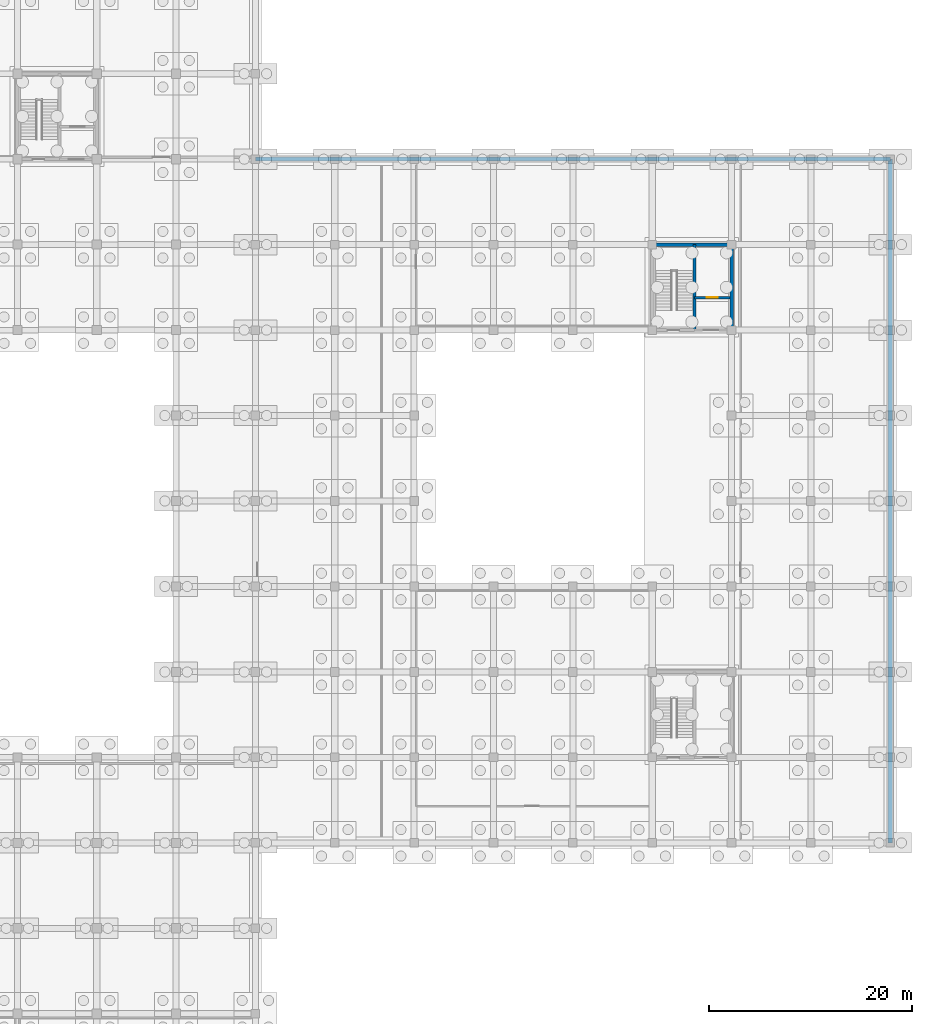
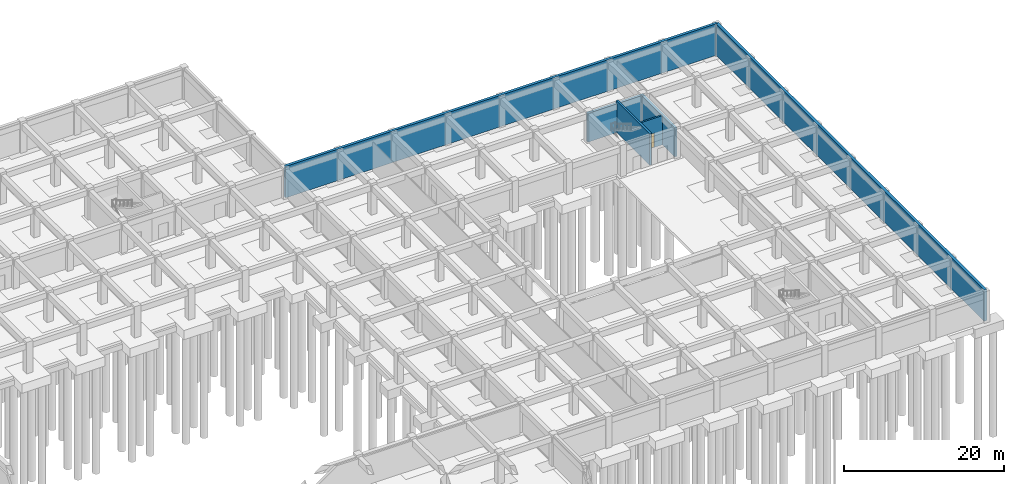
# One storey, part 25 of 31: 6 walls, 1 door, 1 opening.
"""IFC4 building model written with IfcOpenShell, lengths in metres."""

from ifc_helpers import new_model, si_unit, direction, frame, frame_2d, origin, place, context, subcontext, project, spatial, rectangle, extrude, material, layer, layer_set, type_object, element, fill, save


model = new_model("IFC4")

# Units and contexts
model_context = context("Model", 3, precision=1e-05, world=origin(), true_north=direction((0.0, 1.0)))
body_context = subcontext(model_context, "Body", "Model", "MODEL_VIEW")
ifc_project = project(units=[si_unit("LENGTHUNIT", "METRE"), si_unit("AREAUNIT", "SQUARE_METRE"), si_unit("VOLUMEUNIT", "CUBIC_METRE"), si_unit("PLANEANGLEUNIT", "RADIAN"), si_unit("MASSUNIT", "GRAM", prefix="KILO")], contexts=[model_context])

# Site, building, storey
site_placement = place(None, origin())
site = spatial("IfcSite", under=ifc_project, at=site_placement, CompositionType="ELEMENT")
building_placement = place(site_placement, origin())
building = spatial("IfcBuilding", under=site, at=building_placement, Name="Zizhar Promenade General Hospital", CompositionType="ELEMENT")
storey_placement = place(building_placement, frame((0.0, 0.0, -4.800048828125)))
storey = spatial("IfcBuildingStorey", under=building, at=storey_placement, Name="B1", CompositionType="ELEMENT", Elevation=-4.800048828125)

# Wall, opening, door
ifc_material_1 = material(Name="Concrete C35/45", Category="concrete")
ifc_layer_1 = layer(ifc_material_1, 0.25)
ifc_layer_set_1 = layer_set([ifc_layer_1], Name="Concrete C35/45")
wall_type_1 = type_object("IfcWallType", Name="IW-SHAFT-250", PredefinedType="STANDARD", material=ifc_layer_set_1)
wall_1_placement = place(storey_placement, frame((175.75, 95.60009765625, 0.0), z_axis=(0.0, 0.0, 1.0), x_axis=(1.0, 0.0, 0.0)))
wall_1 = element("IfcWall", 1, at=wall_1_placement, inside=storey, type_object=wall_type_1, Name="Core C8 Lift Shaft Landing Wall (B1)", PredefinedType="STANDARD", context=body_context, shape_type="SweptSolid", body=[
    extrude(rectangle(XDim=3.5, YDim=0.25, at=frame_2d((1.75, 0.0))), origin(), (0.0, 0.0, 1.0), 4.4599609375),
])
opening_placement = place(wall_1_placement, frame((1.199951171875, 0.0, 0.0)))
opening = element("IfcOpeningElement", 2, at=opening_placement, cuts=wall_1, Name="Opening LD-11", PredefinedType="OPENING", context=body_context, shape_type="SweptSolid", body=[
    extrude(rectangle(XDim=1.10009765625, YDim=2.199951171875, at=frame_2d((0.550048828125, 1.10009765625))), frame((0.0, 0.135009765625, 0.0), z_axis=(0.0, -1.0, 0.0), x_axis=(1.0, 0.0, 0.0)), (0.0, 0.0, 1.0), 0.27001953125),
])
ifc_material_2 = material(Name="Stainless Steel S355 passenger lift landing door", Category="steel")
door_type = type_object("IfcDoorType", Name="DR-LIFT-LD11", OperationType="SLIDING_TO_LEFT", PredefinedType="DOOR", material=ifc_material_2)
door_placement = place(opening_placement, origin())
door = element("IfcDoor", 3, at=door_placement, inside=storey, type_object=door_type, Name="Lift LP-04 Sliding Landing Door (B1)", OperationType="SLIDING_TO_LEFT", OverallHeight=2.199951171875, OverallWidth=1.10009765625, PredefinedType="DOOR", context=body_context, shape_type="SweptSolid", body=[
    extrude(rectangle(XDim=1.10009765625, YDim=2.199951171875, at=frame_2d((0.550048828125, 1.10009765625))), frame((0.0, 0.02490234375, 0.0), z_axis=(0.0, -1.0, 0.0), x_axis=(1.0, 0.0, 0.0)), (0.0, 0.0, 1.0), 0.050048828125),
])
fill(opening, door)

# Walls
ifc_material_3 = material(Name="Concrete C35/45", Category="concrete")
ifc_layer_2 = layer(ifc_material_3, 0.39990234375)
ifc_layer_set_2 = layer_set([ifc_layer_2], Name="Concrete C35/45")
wall_type_2 = type_object("IfcWallType", Name="WL-BSMT-400", PredefinedType="SOLIDWALL", material=ifc_layer_set_2)
wall_2_placement = place(storey_placement, frame((195.0, 42.0, 0.0), z_axis=(0.0, 0.0, 1.0), x_axis=(0.0, 1.0, 0.0)))
element("IfcWall", 4, at=wall_2_placement, inside=storey, type_object=wall_type_2, Name="Basement Retaining Wall B04", PredefinedType="SOLIDWALL", context=body_context, shape_type="SweptSolid", body=[
    extrude(rectangle(XDim=67.199951171875, YDim=0.39990234375, at=frame_2d((33.60009765625, 0.0))), origin(), (0.0, 0.0, 1.0), 4.800048828125),
])
wall_3_placement = place(storey_placement, frame((195.0, 109.199951171875, 0.0), z_axis=(0.0, 0.0, 1.0), x_axis=(-1.0, 0.0, 0.0)))
element("IfcWall", 5, at=wall_3_placement, inside=storey, type_object=wall_type_2, Name="Basement Retaining Wall B05", PredefinedType="SOLIDWALL", context=body_context, shape_type="SweptSolid", body=[
    extrude(rectangle(XDim=62.39990234375, YDim=0.39990234375, at=frame_2d((31.199951171875, 0.0))), origin(), (0.0, 0.0, 1.0), 4.800048828125),
])
ifc_material_4 = material(Name="Concrete C40/50", Category="concrete")
ifc_layer_3 = layer(ifc_material_4, 0.300048828125)
ifc_layer_set_3 = layer_set([ifc_layer_3], Name="Concrete C40/50")
wall_type_3 = type_object("IfcWallType", Name="WL-CORE-300", PredefinedType="SHEAR", material=ifc_layer_set_3)
wall_4_placement = place(storey_placement, frame((175.75, 92.39990234375, 0.0), z_axis=(0.0, 0.0, 1.0), x_axis=(0.0, 1.0, 0.0)))
element("IfcWall", 6, at=wall_4_placement, inside=storey, type_object=wall_type_3, Name="Core C8 Stair-Shaft Separation Wall (B1)", PredefinedType="SHEAR", context=body_context, shape_type="SweptSolid", body=[
    extrude(rectangle(XDim=8.400146484375, YDim=0.300048828125, at=frame_2d((4.2001953125, 0.0))), origin(), (0.0, 0.0, 1.0), 4.800048828125),
])
ifc_material_5 = material(Name="Concrete C40/50", Category="concrete")
ifc_layer_4 = layer(ifc_material_5, 0.35009765625)
ifc_layer_set_4 = layer_set([ifc_layer_4], Name="Concrete C40/50")
wall_type_4 = type_object("IfcWallType", Name="WL-CORE-350", PredefinedType="SHEAR", material=ifc_layer_set_4)
wall_5_placement = place(storey_placement, frame((171.425048828125, 100.800048828125, 0.0), z_axis=(0.0, 0.0, 1.0), x_axis=(1.0, 0.0, 0.0)))
element("IfcWall", 7, at=wall_5_placement, inside=storey, type_object=wall_type_4, Name="Core C8 North Shear Wall B1", PredefinedType="SHEAR", context=body_context, shape_type="SweptSolid", body=[
    extrude(rectangle(XDim=8.14990234375, YDim=0.35009765625, at=frame_2d((4.074951171875, 0.0))), origin(), (0.0, 0.0, 1.0), 4.400146484375),
])
wall_6_placement = place(storey_placement, frame((179.39990234375, 92.39990234375, 0.0), z_axis=(0.0, 0.0, 1.0), x_axis=(0.0, 1.0, 0.0)))
element("IfcWall", 8, at=wall_6_placement, inside=storey, type_object=wall_type_4, Name="Core C8 East Shear Wall B1", PredefinedType="SHEAR", context=body_context, shape_type="SweptSolid", body=[
    extrude(rectangle(XDim=8.400146484375, YDim=0.35009765625, at=frame_2d((4.2001953125, 0.0))), origin(), (0.0, 0.0, 1.0), 4.400146484375),
])

save(model, "model.ifc")
